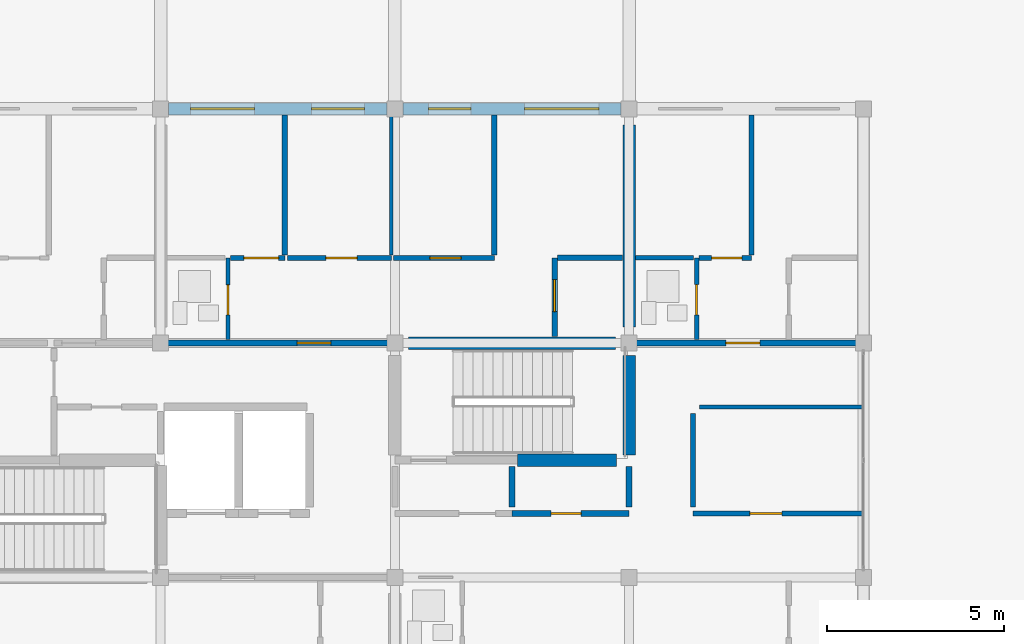
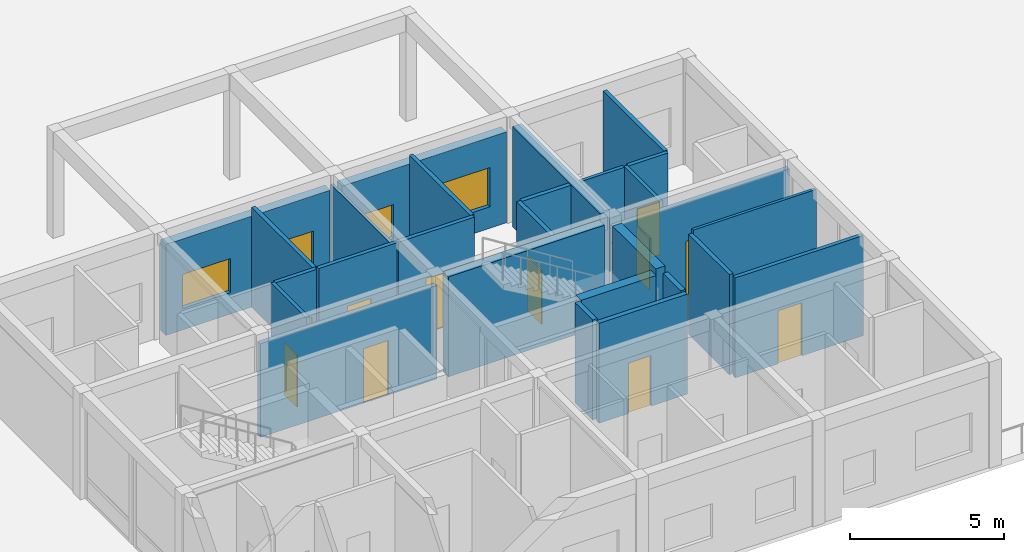
# One storey, part 65 of 92: 27 walls, 11 doors, 4 windows, 15 openings.
"""IFC4 building model written with IfcOpenShell, lengths in metres."""

from ifc_helpers import new_model, si_unit, direction, frame, frame_2d, origin, place, context, subcontext, project, spatial, rectangle, extrude, material, layer, layer_set, type_object, element, fill, save


model = new_model("IFC4")

# Units and contexts
model_context = context("Model", 3, precision=1e-05, world=origin(), true_north=direction((0.0, 1.0)))
body_context = subcontext(model_context, "Body", "Model", "MODEL_VIEW")
ifc_project = project(units=[si_unit("LENGTHUNIT", "METRE"), si_unit("AREAUNIT", "SQUARE_METRE"), si_unit("VOLUMEUNIT", "CUBIC_METRE"), si_unit("PLANEANGLEUNIT", "RADIAN"), si_unit("MASSUNIT", "GRAM", prefix="KILO")], contexts=[model_context])

# Site, building, storey
site_placement = place(None, origin())
site = spatial("IfcSite", under=ifc_project, at=site_placement, CompositionType="ELEMENT")
building_placement = place(site_placement, origin())
building = spatial("IfcBuilding", under=site, at=building_placement, Name="Kernevlak Ridge Housing Community", CompositionType="ELEMENT")
storey_placement = place(building_placement, frame((0.0, 0.0, 4.199951171875)))
storey = spatial("IfcBuildingStorey", under=building, at=storey_placement, Name="L01", CompositionType="ELEMENT", Elevation=4.199951171875)

# Wall, openings, windows
ifc_material_1 = material(Name="Concrete block masonry M10", Category="masonry")
ifc_layer_1 = layer(ifc_material_1, 0.340087890625, Name="Concrete block masonry M10")
ifc_layer_set_1 = layer_set([ifc_layer_1], Name="Concrete block masonry M10")
wall_type_1 = type_object("IfcWallType", Name="EW-04", PredefinedType="STANDARD", material=ifc_layer_set_1)
wall_1_placement = place(storey_placement, frame((22.425048828125, 35.39990234375, 0.0), z_axis=(0.0, 0.0, 1.0), x_axis=(1.0, 0.0, 0.0)))
wall_1 = element("IfcWall", 1, at=wall_1_placement, inside=storey, type_object=wall_type_1, Name="Exterior wall EW-04 L01 732", PredefinedType="STANDARD", context=body_context, shape_type="SweptSolid", body=[
    extrude(rectangle(XDim=6.14990234375, YDim=0.340087890625, at=frame_2d((3.074951171875, 0.0))), origin(), (0.0, 0.0, 1.0), 3.60009765625),
])
opening_1_placement = place(wall_1_placement, frame((0.625, 0.0, 0.85009765625)))
opening_1 = element("IfcOpeningElement", 2, at=opening_1_placement, cuts=wall_1, Name="Opening WT-03", PredefinedType="OPENING", context=body_context, shape_type="SweptSolid", body=[
    extrude(rectangle(XDim=1.800048828125, YDim=1.35009765625, at=frame_2d((0.89990234375, 0.675048828125))), frame((0.0, 0.179931640625, 0.0), z_axis=(0.0, -1.0, 0.0), x_axis=(1.0, 0.0, 0.0)), (0.0, 0.0, 1.0), 0.360107421875),
])
opening_2_placement = place(wall_1_placement, frame((4.02490234375, 0.0, 0.85009765625)))
opening_2 = element("IfcOpeningElement", 3, at=opening_2_placement, cuts=wall_1, Name="Opening WT-02", PredefinedType="OPENING", context=body_context, shape_type="SweptSolid", body=[
    extrude(rectangle(XDim=1.5, YDim=1.35009765625, at=frame_2d((0.75, 0.675048828125))), frame((0.0, 0.179931640625, 0.0), z_axis=(0.0, -1.0, 0.0), x_axis=(1.0, 0.0, 0.0)), (0.0, 0.0, 1.0), 0.360107421875),
])
ifc_material_2 = material(Name="Aluminium EN AW-6060 anodised and laminated glass", Category="aluminium")
window_type_1 = type_object("IfcWindowType", Name="WT-02", PartitioningType="SINGLE_PANEL", PredefinedType="WINDOW", material=ifc_material_2)
window_1_placement = place(opening_2_placement, origin())
window_1 = element("IfcWindow", 4, at=window_1_placement, inside=storey, type_object=window_type_1, Name="Window WT-02 L01 601", OverallHeight=1.35009765625, OverallWidth=1.5, PartitioningType="SINGLE_PANEL", PredefinedType="WINDOW", context=body_context, shape_type="SweptSolid", body=[
    extrude(rectangle(XDim=1.5, YDim=1.35009765625, at=frame_2d((0.75, 0.675048828125))), frame((0.0, 0.030029296875, 0.0), z_axis=(0.0, -1.0, 0.0), x_axis=(1.0, 0.0, 0.0)), (0.0, 0.0, 1.0), 0.06005859375),
])
fill(opening_2, window_1)
window_type_2 = type_object("IfcWindowType", Name="WT-03", PartitioningType="SINGLE_PANEL", PredefinedType="WINDOW", material=ifc_material_2)
window_2_placement = place(opening_1_placement, origin())
window_2 = element("IfcWindow", 5, at=window_2_placement, inside=storey, type_object=window_type_2, Name="Window WT-03 L01 600", OverallHeight=1.35009765625, OverallWidth=1.800048828125, PartitioningType="SINGLE_PANEL", PredefinedType="WINDOW", context=body_context, shape_type="SweptSolid", body=[
    extrude(rectangle(XDim=1.800048828125, YDim=1.35009765625, at=frame_2d((0.89990234375, 0.675048828125))), frame((0.0, 0.030029296875, 0.0), z_axis=(0.0, -1.0, 0.0), x_axis=(1.0, 0.0, 0.0)), (0.0, 0.0, 1.0), 0.06005859375),
])
fill(opening_1, window_2)

wall_2_placement = place(storey_placement, frame((29.02490234375, 35.39990234375, 0.0), z_axis=(0.0, 0.0, 1.0), x_axis=(1.0, 0.0, 0.0)))
wall_2 = element("IfcWall", 6, at=wall_2_placement, inside=storey, type_object=wall_type_1, Name="Exterior wall EW-04 L01 733", PredefinedType="STANDARD", context=body_context, shape_type="SweptSolid", body=[
    extrude(rectangle(XDim=6.150146484375, YDim=0.340087890625, at=frame_2d((3.0751953125, 0.0))), origin(), (0.0, 0.0, 1.0), 3.60009765625),
])
opening_3_placement = place(wall_2_placement, frame((0.72509765625, 0.0, 0.85009765625)))
opening_3 = element("IfcOpeningElement", 7, at=opening_3_placement, cuts=wall_2, Name="Opening WT-01", PredefinedType="OPENING", context=body_context, shape_type="SweptSolid", body=[
    extrude(rectangle(XDim=1.199951171875, YDim=1.35009765625, at=frame_2d((0.60009765625, 0.675048828125))), frame((0.0, 0.179931640625, 0.0), z_axis=(0.0, -1.0, 0.0), x_axis=(1.0, 0.0, 0.0)), (0.0, 0.0, 1.0), 0.360107421875),
])
opening_4_placement = place(wall_2_placement, frame((3.425048828125, 0.0, 0.85009765625)))
opening_4 = element("IfcOpeningElement", 8, at=opening_4_placement, cuts=wall_2, Name="Opening WT-05", PredefinedType="OPENING", context=body_context, shape_type="SweptSolid", body=[
    extrude(rectangle(XDim=2.10009765625, YDim=1.550048828125, at=frame_2d((1.050048828125, 0.77490234375))), frame((0.0, 0.179931640625, 0.0), z_axis=(0.0, -1.0, 0.0), x_axis=(1.0, 0.0, 0.0)), (0.0, 0.0, 1.0), 0.360107421875),
])
window_type_3 = type_object("IfcWindowType", Name="WT-01", PartitioningType="SINGLE_PANEL", PredefinedType="WINDOW", material=ifc_material_2)
window_3_placement = place(opening_3_placement, origin())
window_3 = element("IfcWindow", 9, at=window_3_placement, inside=storey, type_object=window_type_3, Name="Window WT-01 L01 602", OverallHeight=1.35009765625, OverallWidth=1.199951171875, PartitioningType="SINGLE_PANEL", PredefinedType="WINDOW", context=body_context, shape_type="SweptSolid", body=[
    extrude(rectangle(XDim=1.199951171875, YDim=1.35009765625, at=frame_2d((0.60009765625, 0.675048828125))), frame((0.0, 0.030029296875, 0.0), z_axis=(0.0, -1.0, 0.0), x_axis=(1.0, 0.0, 0.0)), (0.0, 0.0, 1.0), 0.06005859375),
])
fill(opening_3, window_3)
window_type_4 = type_object("IfcWindowType", Name="WT-05", PartitioningType="SINGLE_PANEL", PredefinedType="WINDOW", material=ifc_material_2)
window_4_placement = place(opening_4_placement, origin())
window_4 = element("IfcWindow", 10, at=window_4_placement, inside=storey, type_object=window_type_4, Name="Window WT-05 L01 603", OverallHeight=1.550048828125, OverallWidth=2.10009765625, PartitioningType="SINGLE_PANEL", PredefinedType="WINDOW", context=body_context, shape_type="SweptSolid", body=[
    extrude(rectangle(XDim=2.10009765625, YDim=1.550048828125, at=frame_2d((1.050048828125, 0.77490234375))), frame((0.0, 0.030029296875, 0.0), z_axis=(0.0, -1.0, 0.0), x_axis=(1.0, 0.0, 0.0)), (0.0, 0.0, 1.0), 0.06005859375),
])
fill(opening_4, window_4)

# Wall, opening, door
ifc_layer_2 = layer(ifc_material_1, 0.175048828125, Name="Concrete block masonry M10")
ifc_layer_set_2 = layer_set([ifc_layer_2], Name="Concrete block masonry M10")
wall_type_2 = type_object("IfcWallType", Name="PW-02", PredefinedType="PARTITIONING", material=ifc_layer_set_2)
wall_3_placement = place(storey_placement, frame((32.10009765625, 24.0, 0.0), z_axis=(0.0, 0.0, 1.0), x_axis=(1.0, 0.0, 0.0)))
wall_3 = element("IfcWall", 11, at=wall_3_placement, inside=storey, type_object=wall_type_2, Name="Interior wall PW-02 WAL-INT-L01-2986", PredefinedType="PARTITIONING", context=body_context, shape_type="SweptSolid", body=[
    extrude(rectangle(XDim=3.2998046875, YDim=0.175048828125, at=frame_2d((1.64990234375, 0.0))), origin(), (0.0, 0.0, 1.0), 3.9599609375),
])
opening_5_placement = place(wall_3_placement, frame((1.10009765625, 0.0, 0.0)))
opening_5 = element("IfcOpeningElement", 12, at=opening_5_placement, cuts=wall_3, Name="Opening E514", PredefinedType="OPENING", context=body_context, shape_type="SweptSolid", body=[
    extrude(rectangle(XDim=0.85009765625, YDim=2.0, at=frame_2d((0.425048828125, 1.0))), frame((0.0, 0.097412109375, 0.0), z_axis=(0.0, -1.0, 0.0), x_axis=(1.0, 0.0, 0.0)), (0.0, 0.0, 1.0), 0.195068359375),
])
ifc_material_3 = material(Name="Fire-rated sheet steel leaf", Category="steel")
door_type_1 = type_object("IfcDoorType", Name="DT-07", OperationType="NOTDEFINED", PredefinedType="DOOR", material=ifc_material_3)
door_1_placement = place(opening_5_placement, origin())
door_1 = element("IfcDoor", 13, at=door_1_placement, inside=storey, type_object=door_type_1, Name="Block D Cleaner store door E514", OperationType="SINGLE_SWING_LEFT", OverallHeight=2.0, OverallWidth=0.85009765625, PredefinedType="DOOR", context=body_context, shape_type="SweptSolid", body=[
    extrude(rectangle(XDim=0.85009765625, YDim=2.0, at=frame_2d((0.425048828125, 1.0))), frame((0.0, 0.02490234375, 0.0), z_axis=(0.0, -1.0, 0.0), x_axis=(1.0, 0.0, 0.0)), (0.0, 0.0, 1.0), 0.050048828125),
])
fill(opening_5, door_1)

# Walls
for number, where, z_axis, x_axis, name in (
    (14, (32.10009765625, 24.179931640625, 0.0), (0.0, 0.0, 1.0), (0.0, 1.0, 0.0), "Interior wall PW-02 WAL-INT-L01-2988"),
    (15, (35.39990234375, 24.179931640625, 0.0), (0.0, 0.0, 1.0), (0.0, 1.0, 0.0), "Interior wall PW-02 WAL-INT-L01-2989"),
):
    element("IfcWall", number, at=place(storey_placement, frame(where, z_axis=z_axis, x_axis=x_axis)), inside=storey, type_object=wall_type_2, Name=name, PredefinedType="PARTITIONING", context=body_context, shape_type="SweptSolid", body=[
        extrude(rectangle(XDim=1.14013671875, YDim=0.175048828125, at=frame_2d((0.570068359375, 0.0))), origin(), (0.0, 0.0, 1.0), 3.9599609375),
    ])

# Wall, opening, door
wall_4_placement = place(storey_placement, frame((22.199951171875, 28.800048828125, 0.0), z_axis=(0.0, 0.0, 1.0), x_axis=(1.0, 0.0, 0.0)))
wall_4 = element("IfcWall", 16, at=wall_4_placement, inside=storey, type_object=wall_type_2, Name="Interior wall PW-02 WAL-INT-L01-3023", PredefinedType="PARTITIONING", context=body_context, shape_type="SweptSolid", body=[
    extrude(rectangle(XDim=6.60009765625, YDim=0.175048828125, at=frame_2d((3.300048828125, 0.0))), origin(), (0.0, 0.0, 1.0), 3.699951171875),
])
opening_6_placement = place(wall_4_placement, frame((3.85009765625, 0.0, 0.0)))
opening_6 = element("IfcOpeningElement", 17, at=opening_6_placement, cuts=wall_4, Name="Opening E532", PredefinedType="OPENING", context=body_context, shape_type="SweptSolid", body=[
    extrude(rectangle(XDim=0.949951171875, YDim=2.159912109375, at=frame_2d((0.47509765625, 1.080078125))), frame((0.0, 0.097412109375, 0.0), z_axis=(0.0, -1.0, 0.0), x_axis=(1.0, 0.0, 0.0)), (0.0, 0.0, 1.0), 0.195068359375),
])
ifc_material_4 = material(Name="Hardwood timber solid-core fire leaf", Category="wood")
door_type_2 = type_object("IfcDoorType", Name="DT-02", OperationType="NOTDEFINED", PredefinedType="DOOR", material=ifc_material_4)
door_2_placement = place(opening_6_placement, origin())
door_2 = element("IfcDoor", 18, at=door_2_placement, inside=storey, type_object=door_type_2, Name="Flat D0122 entrance fire door E532", OperationType="SINGLE_SWING_LEFT", OverallHeight=2.159912109375, OverallWidth=0.949951171875, PredefinedType="DOOR", context=body_context, shape_type="SweptSolid", body=[
    extrude(rectangle(XDim=0.949951171875, YDim=2.159912109375, at=frame_2d((0.47509765625, 1.080078125))), frame((0.0, 0.02490234375, 0.0), z_axis=(0.0, -1.0, 0.0), x_axis=(1.0, 0.0, 0.0)), (0.0, 0.0, 1.0), 0.050048828125),
])
fill(opening_6, door_2)

wall_5_placement = place(storey_placement, frame((35.39990234375, 28.800048828125, 0.0), z_axis=(0.0, 0.0, 1.0), x_axis=(1.0, 0.0, 0.0)))
wall_5 = element("IfcWall", 19, at=wall_5_placement, inside=storey, type_object=wall_type_2, Name="Interior wall PW-02 WAL-INT-L01-3034", PredefinedType="PARTITIONING", context=body_context, shape_type="SweptSolid", body=[
    extrude(rectangle(XDim=6.60009765625, YDim=0.175048828125, at=frame_2d((3.300048828125, 0.0))), origin(), (0.0, 0.0, 1.0), 3.699951171875),
])
opening_7_placement = place(wall_5_placement, frame((2.72509765625, 0.0, 0.0)))
opening_7 = element("IfcOpeningElement", 20, at=opening_7_placement, cuts=wall_5, Name="Opening E538", PredefinedType="OPENING", context=body_context, shape_type="SweptSolid", body=[
    extrude(rectangle(XDim=0.9599609375, YDim=2.179931640625, at=frame_2d((0.47998046875, 1.08984375))), frame((0.0, 0.097412109375, 0.0), z_axis=(0.0, -1.0, 0.0), x_axis=(1.0, 0.0, 0.0)), (0.0, 0.0, 1.0), 0.195068359375),
])
door_type_3 = type_object("IfcDoorType", Name="DT-29", OperationType="NOTDEFINED", PredefinedType="DOOR", material=ifc_material_4)
door_3_placement = place(opening_7_placement, origin())
door_3 = element("IfcDoor", 21, at=door_3_placement, inside=storey, type_object=door_type_3, Name="Flat D0123 entrance fire door E538", OperationType="SINGLE_SWING_LEFT", OverallHeight=2.179931640625, OverallWidth=0.9599609375, PredefinedType="DOOR", context=body_context, shape_type="SweptSolid", body=[
    extrude(rectangle(XDim=0.9599609375, YDim=2.179931640625, at=frame_2d((0.47998046875, 1.08984375))), frame((0.0, 0.02490234375, 0.0), z_axis=(0.0, -1.0, 0.0), x_axis=(1.0, 0.0, 0.0)), (0.0, 0.0, 1.0), 0.050048828125),
])
fill(opening_7, door_3)

ifc_layer_3 = layer(ifc_material_1, 0.14501953125, Name="Concrete block masonry M10")
ifc_layer_set_3 = layer_set([ifc_layer_3], Name="Concrete block masonry M10")
wall_type_3 = type_object("IfcWallType", Name="PW-03", PredefinedType="PARTITIONING", material=ifc_layer_set_3)
wall_6_placement = place(storey_placement, frame((37.199951171875, 24.0, 0.0), z_axis=(0.0, 0.0, 1.0), x_axis=(1.0, 0.0, 0.0)))
wall_6 = element("IfcWall", 22, at=wall_6_placement, inside=storey, type_object=wall_type_3, Name="Interior wall PW-03 WAL-INT-L01-2990", PredefinedType="PARTITIONING", context=body_context, shape_type="SweptSolid", body=[
    extrude(rectangle(XDim=4.800048828125, YDim=0.14501953125, at=frame_2d((2.39990234375, 0.0))), origin(), (0.0, 0.0, 1.0), 3.9599609375),
])
opening_8_placement = place(wall_6_placement, frame((1.60009765625, 0.0, 0.0)))
opening_8 = element("IfcOpeningElement", 23, at=opening_8_placement, cuts=wall_6, Name="Opening E515", PredefinedType="OPENING", context=body_context, shape_type="SweptSolid", body=[
    extrude(rectangle(XDim=0.89990234375, YDim=2.10009765625, at=frame_2d((0.449951171875, 1.050048828125))), frame((0.0, 0.08251953125, 0.0), z_axis=(0.0, -1.0, 0.0), x_axis=(1.0, 0.0, 0.0)), (0.0, 0.0, 1.0), 0.1650390625),
])
ifc_material_5 = material(Name="Hardwood timber leaf", Category="wood")
door_type_4 = type_object("IfcDoorType", Name="DT-21", OperationType="NOTDEFINED", PredefinedType="DOOR", material=ifc_material_5)
door_4_placement = place(opening_8_placement, origin())
door_4 = element("IfcDoor", 24, at=door_4_placement, inside=storey, type_object=door_type_4, Name="Block D Laundry room door E515", OperationType="SINGLE_SWING_RIGHT", OverallHeight=2.10009765625, OverallWidth=0.89990234375, PredefinedType="DOOR", context=body_context, shape_type="SweptSolid", body=[
    extrude(rectangle(XDim=0.89990234375, YDim=2.10009765625, at=frame_2d((0.449951171875, 1.050048828125))), frame((0.0, 0.02490234375, 0.0), z_axis=(0.0, -1.0, 0.0), x_axis=(1.0, 0.0, 0.0)), (0.0, 0.0, 1.0), 0.050048828125),
])
fill(opening_8, door_4)

# Wall
wall_7_placement = place(storey_placement, frame((37.199951171875, 24.179931640625, 0.0), z_axis=(0.0, 0.0, 1.0), x_axis=(0.0, 1.0, 0.0)))
element("IfcWall", 25, at=wall_7_placement, inside=storey, type_object=wall_type_3, Name="Interior wall PW-03 WAL-INT-L01-2992", PredefinedType="PARTITIONING", context=body_context, shape_type="SweptSolid", body=[
    extrude(rectangle(XDim=2.64013671875, YDim=0.14501953125, at=frame_2d((1.320068359375, 0.0))), origin(), (0.0, 0.0, 1.0), 3.9599609375),
])

# Wall, opening, door
wall_8_placement = place(storey_placement, frame((24.172607421875, 31.199951171875, 0.0), z_axis=(0.0, 0.0, 1.0), x_axis=(1.0, 0.0, 0.0)))
wall_8 = element("IfcWall", 26, at=wall_8_placement, inside=storey, type_object=wall_type_3, Name="Interior wall PW-03 WAL-INT-L01-3028", PredefinedType="PARTITIONING", context=body_context, shape_type="SweptSolid", body=[
    extrude(rectangle(XDim=1.52734375, YDim=0.14501953125, at=frame_2d((0.763671875, 0.0))), origin(), (0.0, 0.0, 1.0), 3.9599609375),
])
opening_9_placement = place(wall_8_placement, frame((0.375, 0.0, 0.0)))
opening_9 = element("IfcOpeningElement", 27, at=opening_9_placement, cuts=wall_8, Name="Opening E535", PredefinedType="OPENING", context=body_context, shape_type="SweptSolid", body=[
    extrude(rectangle(XDim=0.97998046875, YDim=2.1201171875, at=frame_2d((0.489990234375, 1.06005859375))), frame((0.0, 0.08251953125, 0.0), z_axis=(0.0, -1.0, 0.0), x_axis=(1.0, 0.0, 0.0)), (0.0, 0.0, 1.0), 0.1650390625),
])
door_type_5 = type_object("IfcDoorType", Name="DT-24", OperationType="NOTDEFINED", PredefinedType="DOOR", material=ifc_material_5)
door_5_placement = place(opening_9_placement, origin())
door_5 = element("IfcDoor", 28, at=door_5_placement, inside=storey, type_object=door_type_5, Name="Flat D0122 bedroom door E535", OperationType="SINGLE_SWING_RIGHT", OverallHeight=2.1201171875, OverallWidth=0.97998046875, PredefinedType="DOOR", context=body_context, shape_type="SweptSolid", body=[
    extrude(rectangle(XDim=0.97998046875, YDim=2.1201171875, at=frame_2d((0.489990234375, 1.06005859375))), frame((0.0, 0.02490234375, 0.0), z_axis=(0.0, -1.0, 0.0), x_axis=(1.0, 0.0, 0.0)), (0.0, 0.0, 1.0), 0.050048828125),
])
fill(opening_9, door_5)

# Wall
wall_9_placement = place(storey_placement, frame((25.699951171875, 31.282470703125, 0.0), z_axis=(0.0, 0.0, 1.0), x_axis=(0.0, 1.0, 0.0)))
element("IfcWall", 29, at=wall_9_placement, inside=storey, type_object=wall_type_3, Name="Interior wall PW-03 WAL-INT-L01-3029", PredefinedType="PARTITIONING", context=body_context, shape_type="SweptSolid", body=[
    extrude(rectangle(XDim=3.9375, YDim=0.14501953125, at=frame_2d((1.96875, 0.0))), origin(), (0.0, 0.0, 1.0), 3.9599609375),
])

# Wall, opening, door
wall_10_placement = place(storey_placement, frame((25.782470703125, 31.199951171875, 0.0), z_axis=(0.0, 0.0, 1.0), x_axis=(1.0, 0.0, 0.0)))
wall_10 = element("IfcWall", 30, at=wall_10_placement, inside=storey, type_object=wall_type_3, Name="Interior wall PW-03 WAL-INT-L01-3030", PredefinedType="PARTITIONING", context=body_context, shape_type="SweptSolid", body=[
    extrude(rectangle(XDim=2.91748046875, YDim=0.14501953125, at=frame_2d((1.458740234375, 0.0))), origin(), (0.0, 0.0, 1.0), 3.9599609375),
])
opening_10_placement = place(wall_10_placement, frame((1.074951171875, 0.0, 0.0)))
opening_10 = element("IfcOpeningElement", 31, at=opening_10_placement, cuts=wall_10, Name="Opening E536", PredefinedType="OPENING", context=body_context, shape_type="SweptSolid", body=[
    extrude(rectangle(XDim=0.8798828125, YDim=2.10009765625, at=frame_2d((0.43994140625, 1.050048828125))), frame((0.0, 0.08251953125, 0.0), z_axis=(0.0, -1.0, 0.0), x_axis=(1.0, 0.0, 0.0)), (0.0, 0.0, 1.0), 0.1650390625),
])
door_type_6 = type_object("IfcDoorType", Name="DT-25", OperationType="NOTDEFINED", PredefinedType="DOOR", material=ifc_material_5)
door_6_placement = place(opening_10_placement, origin())
door_6 = element("IfcDoor", 32, at=door_6_placement, inside=storey, type_object=door_type_6, Name="Flat D0122 bedroom door E536", OperationType="SINGLE_SWING_LEFT", OverallHeight=2.10009765625, OverallWidth=0.8798828125, PredefinedType="DOOR", context=body_context, shape_type="SweptSolid", body=[
    extrude(rectangle(XDim=0.8798828125, YDim=2.10009765625, at=frame_2d((0.43994140625, 1.050048828125))), frame((0.0, 0.02490234375, 0.0), z_axis=(0.0, -1.0, 0.0), x_axis=(1.0, 0.0, 0.0)), (0.0, 0.0, 1.0), 0.050048828125),
])
fill(opening_10, door_6)

wall_11_placement = place(storey_placement, frame((28.762451171875, 31.199951171875, 0.0), z_axis=(0.0, 0.0, 1.0), x_axis=(1.0, 0.0, 0.0)))
wall_11 = element("IfcWall", 33, at=wall_11_placement, inside=storey, type_object=wall_type_3, Name="Interior wall PW-03 WAL-INT-L01-3032", PredefinedType="PARTITIONING", context=body_context, shape_type="SweptSolid", body=[
    extrude(rectangle(XDim=2.837646484375, YDim=0.14501953125, at=frame_2d((1.4189453125, 0.0))), origin(), (0.0, 0.0, 1.0), 3.9599609375),
])
opening_11_placement = place(wall_11_placement, frame((1.02490234375, 0.0, 0.0)))
opening_11 = element("IfcOpeningElement", 34, at=opening_11_placement, cuts=wall_11, Name="Opening E537", PredefinedType="OPENING", context=body_context, shape_type="SweptSolid", body=[
    extrude(rectangle(XDim=0.8798828125, YDim=2.159912109375, at=frame_2d((0.43994140625, 1.080078125))), frame((0.0, 0.08251953125, 0.0), z_axis=(0.0, -1.0, 0.0), x_axis=(1.0, 0.0, 0.0)), (0.0, 0.0, 1.0), 0.1650390625),
])
door_type_7 = type_object("IfcDoorType", Name="DT-26", OperationType="NOTDEFINED", PredefinedType="DOOR", material=ifc_material_5)
door_7_placement = place(opening_11_placement, origin())
door_7 = element("IfcDoor", 35, at=door_7_placement, inside=storey, type_object=door_type_7, Name="Flat D0122 bedroom door E537", OperationType="SINGLE_SWING_RIGHT", OverallHeight=2.159912109375, OverallWidth=0.8798828125, PredefinedType="DOOR", context=body_context, shape_type="SweptSolid", body=[
    extrude(rectangle(XDim=0.8798828125, YDim=2.159912109375, at=frame_2d((0.43994140625, 1.080078125))), frame((0.0, 0.02490234375, 0.0), z_axis=(0.0, -1.0, 0.0), x_axis=(1.0, 0.0, 0.0)), (0.0, 0.0, 1.0), 0.050048828125),
])
fill(opening_11, door_7)

# Wall
wall_12_placement = place(storey_placement, frame((31.60009765625, 31.282470703125, 0.0), z_axis=(0.0, 0.0, 1.0), x_axis=(0.0, 1.0, 0.0)))
element("IfcWall", 36, at=wall_12_placement, inside=storey, type_object=wall_type_3, Name="Interior wall PW-03 WAL-INT-L01-3033", PredefinedType="PARTITIONING", context=body_context, shape_type="SweptSolid", body=[
    extrude(rectangle(XDim=3.9375, YDim=0.14501953125, at=frame_2d((1.96875, 0.0))), origin(), (0.0, 0.0, 1.0), 3.9599609375),
])

# Wall, opening, door
wall_13_placement = place(storey_placement, frame((37.37255859375, 31.199951171875, 0.0), z_axis=(0.0, 0.0, 1.0), x_axis=(1.0, 0.0, 0.0)))
wall_13 = element("IfcWall", 37, at=wall_13_placement, inside=storey, type_object=wall_type_3, Name="Interior wall PW-03 WAL-INT-L01-3039", PredefinedType="PARTITIONING", context=body_context, shape_type="SweptSolid", body=[
    extrude(rectangle(XDim=1.4775390625, YDim=0.14501953125, at=frame_2d((0.73876953125, 0.0))), origin(), (0.0, 0.0, 1.0), 3.9599609375),
])
opening_12_placement = place(wall_13_placement, frame((0.35009765625, 0.0, 0.0)))
opening_12 = element("IfcOpeningElement", 38, at=opening_12_placement, cuts=wall_13, Name="Opening E541", PredefinedType="OPENING", context=body_context, shape_type="SweptSolid", body=[
    extrude(rectangle(XDim=0.85009765625, YDim=2.10009765625, at=frame_2d((0.425048828125, 1.050048828125))), frame((0.0, 0.08251953125, 0.0), z_axis=(0.0, -1.0, 0.0), x_axis=(1.0, 0.0, 0.0)), (0.0, 0.0, 1.0), 0.1650390625),
])
door_type_8 = type_object("IfcDoorType", Name="DT-03", OperationType="NOTDEFINED", PredefinedType="DOOR", material=ifc_material_5)
door_8_placement = place(opening_12_placement, origin())
door_8 = element("IfcDoor", 39, at=door_8_placement, inside=storey, type_object=door_type_8, Name="Flat D0123 bedroom door E541", OperationType="SINGLE_SWING_RIGHT", OverallHeight=2.10009765625, OverallWidth=0.85009765625, PredefinedType="DOOR", context=body_context, shape_type="SweptSolid", body=[
    extrude(rectangle(XDim=0.85009765625, YDim=2.10009765625, at=frame_2d((0.425048828125, 1.050048828125))), frame((0.0, 0.02490234375, 0.0), z_axis=(0.0, -1.0, 0.0), x_axis=(1.0, 0.0, 0.0)), (0.0, 0.0, 1.0), 0.050048828125),
])
fill(opening_12, door_8)

# Wall
wall_14_placement = place(storey_placement, frame((38.85009765625, 31.282470703125, 0.0), z_axis=(0.0, 0.0, 1.0), x_axis=(0.0, 1.0, 0.0)))
element("IfcWall", 40, at=wall_14_placement, inside=storey, type_object=wall_type_3, Name="Interior wall PW-03 WAL-INT-L01-3040", PredefinedType="PARTITIONING", context=body_context, shape_type="SweptSolid", body=[
    extrude(rectangle(XDim=3.9375, YDim=0.14501953125, at=frame_2d((1.96875, 0.0))), origin(), (0.0, 0.0, 1.0), 3.9599609375),
])

# Wall, opening, door
ifc_material_6 = material(Name="Gypsum plasterboard EN 520", Category="gypsum")
ifc_layer_4 = layer(ifc_material_6, 0.125, Name="Gypsum plasterboard EN 520")
ifc_layer_set_4 = layer_set([ifc_layer_4], Name="Gypsum plasterboard EN 520")
wall_type_4 = type_object("IfcWallType", Name="PW-04", PredefinedType="PARTITIONING", material=ifc_layer_set_4)
wall_15_placement = place(storey_placement, frame((24.10009765625, 28.8974609375, 0.0), z_axis=(0.0, 0.0, 1.0), x_axis=(0.0, 1.0, 0.0)))
wall_15 = element("IfcWall", 41, at=wall_15_placement, inside=storey, type_object=wall_type_4, Name="Interior wall PW-04 WAL-INT-L01-3024", PredefinedType="PARTITIONING", context=body_context, shape_type="SweptSolid", body=[
    extrude(rectangle(XDim=2.302490234375, YDim=0.125, at=frame_2d((1.1513671875, 0.0))), origin(), (0.0, 0.0, 1.0), 3.9599609375),
])
opening_13_placement = place(wall_15_placement, frame((0.699951171875, 0.0, 0.0)))
opening_13 = element("IfcOpeningElement", 42, at=opening_13_placement, cuts=wall_15, Name="Opening E533", PredefinedType="OPENING", context=body_context, shape_type="SweptSolid", body=[
    extrude(rectangle(XDim=0.840087890625, YDim=2.06005859375, at=frame_2d((0.419921875, 1.030029296875))), frame((0.0, 0.072509765625, 0.0), z_axis=(0.0, -1.0, 0.0), x_axis=(1.0, 0.0, 0.0)), (0.0, 0.0, 1.0), 0.14501953125),
])
ifc_material_7 = material(Name="Hardwood timber moisture-resistant leaf", Category="wood")
door_type_9 = type_object("IfcDoorType", Name="DT-27", OperationType="NOTDEFINED", PredefinedType="DOOR", material=ifc_material_7)
door_9_placement = place(opening_13_placement, origin())
door_9 = element("IfcDoor", 43, at=door_9_placement, inside=storey, type_object=door_type_9, Name="Flat D0122 bathroom door E533", OperationType="SINGLE_SWING_RIGHT", OverallHeight=2.06005859375, OverallWidth=0.840087890625, PredefinedType="DOOR", context=body_context, shape_type="SweptSolid", body=[
    extrude(rectangle(XDim=0.840087890625, YDim=2.06005859375, at=frame_2d((0.419921875, 1.030029296875))), frame((0.0, 0.02490234375, 0.0), z_axis=(0.0, -1.0, 0.0), x_axis=(1.0, 0.0, 0.0)), (0.0, 0.0, 1.0), 0.050048828125),
])
fill(opening_13, door_9)

wall_16_placement = place(storey_placement, frame((37.300048828125, 28.8974609375, 0.0), z_axis=(0.0, 0.0, 1.0), x_axis=(0.0, 1.0, 0.0)))
wall_16 = element("IfcWall", 44, at=wall_16_placement, inside=storey, type_object=wall_type_4, Name="Interior wall PW-04 WAL-INT-L01-3035", PredefinedType="PARTITIONING", context=body_context, shape_type="SweptSolid", body=[
    extrude(rectangle(XDim=2.302490234375, YDim=0.125, at=frame_2d((1.1513671875, 0.0))), origin(), (0.0, 0.0, 1.0), 3.9599609375),
])
opening_14_placement = place(wall_16_placement, frame((0.699951171875, 0.0, 0.0)))
opening_14 = element("IfcOpeningElement", 45, at=opening_14_placement, cuts=wall_16, Name="Opening E539", PredefinedType="OPENING", context=body_context, shape_type="SweptSolid", body=[
    extrude(rectangle(XDim=0.85009765625, YDim=2.0400390625, at=frame_2d((0.425048828125, 1.02001953125))), frame((0.0, 0.072509765625, 0.0), z_axis=(0.0, -1.0, 0.0), x_axis=(1.0, 0.0, 0.0)), (0.0, 0.0, 1.0), 0.14501953125),
])
door_type_10 = type_object("IfcDoorType", Name="DT-04", OperationType="NOTDEFINED", PredefinedType="DOOR", material=ifc_material_7)
door_10_placement = place(opening_14_placement, origin())
door_10 = element("IfcDoor", 46, at=door_10_placement, inside=storey, type_object=door_type_10, Name="Flat D0123 bathroom door E539", OperationType="SINGLE_SWING_RIGHT", OverallHeight=2.0400390625, OverallWidth=0.85009765625, PredefinedType="DOOR", context=body_context, shape_type="SweptSolid", body=[
    extrude(rectangle(XDim=0.85009765625, YDim=2.0400390625, at=frame_2d((0.425048828125, 1.02001953125))), frame((0.0, 0.02490234375, 0.0), z_axis=(0.0, -1.0, 0.0), x_axis=(1.0, 0.0, 0.0)), (0.0, 0.0, 1.0), 0.050048828125),
])
fill(opening_14, door_10)

# Wall
wall_17_placement = place(storey_placement, frame((35.5849609375, 31.199951171875, 0.0), z_axis=(0.0, 0.0, 1.0), x_axis=(1.0, 0.0, 0.0)))
element("IfcWall", 47, at=wall_17_placement, inside=storey, type_object=wall_type_4, Name="Interior wall PW-04 WAL-INT-L01-3036", PredefinedType="PARTITIONING", context=body_context, shape_type="SweptSolid", body=[
    extrude(rectangle(XDim=1.635009765625, YDim=0.125, at=frame_2d((0.8173828125, 0.0))), origin(), (0.0, 0.0, 1.0), 3.9599609375),
])

# Wall, opening, door
ifc_layer_5 = layer(ifc_material_6, 0.155029296875, Name="Gypsum plasterboard EN 520")
ifc_layer_set_5 = layer_set([ifc_layer_5], Name="Gypsum plasterboard EN 520")
wall_type_5 = type_object("IfcWallType", Name="PW-05", PredefinedType="PARTITIONING", material=ifc_layer_set_5)
wall_18_placement = place(storey_placement, frame((33.300048828125, 28.985107421875, 0.0), z_axis=(0.0, 0.0, 1.0), x_axis=(0.0, 1.0, 0.0)))
wall_18 = element("IfcWall", 48, at=wall_18_placement, inside=storey, type_object=wall_type_5, Name="Interior wall PW-05 WAL-INT-L01-3026", PredefinedType="PARTITIONING", context=body_context, shape_type="SweptSolid", body=[
    extrude(rectangle(XDim=2.21484375, YDim=0.155029296875, at=frame_2d((1.107421875, 0.0))), origin(), (0.0, 0.0, 1.0), 3.9599609375),
])
opening_15_placement = place(wall_18_placement, frame((0.699951171875, 0.0, 0.0)))
opening_15 = element("IfcOpeningElement", 49, at=opening_15_placement, cuts=wall_18, Name="Opening E534", PredefinedType="OPENING", context=body_context, shape_type="SweptSolid", body=[
    extrude(rectangle(XDim=0.89990234375, YDim=2.159912109375, at=frame_2d((0.449951171875, 1.080078125))), frame((0.0, 0.08740234375, 0.0), z_axis=(0.0, -1.0, 0.0), x_axis=(1.0, 0.0, 0.0)), (0.0, 0.0, 1.0), 0.175048828125),
])
door_type_11 = type_object("IfcDoorType", Name="DT-22", OperationType="NOTDEFINED", PredefinedType="DOOR", material=ifc_material_5)
door_11_placement = place(opening_15_placement, origin())
door_11 = element("IfcDoor", 50, at=door_11_placement, inside=storey, type_object=door_type_11, Name="Flat D0122 kitchen door E534", OperationType="SINGLE_SWING_LEFT", OverallHeight=2.159912109375, OverallWidth=0.89990234375, PredefinedType="DOOR", context=body_context, shape_type="SweptSolid", body=[
    extrude(rectangle(XDim=0.89990234375, YDim=2.159912109375, at=frame_2d((0.449951171875, 1.080078125))), frame((0.0, 0.02490234375, 0.0), z_axis=(0.0, -1.0, 0.0), x_axis=(1.0, 0.0, 0.0)), (0.0, 0.0, 1.0), 0.050048828125),
])
fill(opening_15, door_11)

# Walls
wall_19_placement = place(storey_placement, frame((33.387451171875, 31.199951171875, 0.0), z_axis=(0.0, 0.0, 1.0), x_axis=(1.0, 0.0, 0.0)))
element("IfcWall", 51, at=wall_19_placement, inside=storey, type_object=wall_type_5, Name="Interior wall PW-05 WAL-INT-L01-3027", PredefinedType="PARTITIONING", context=body_context, shape_type="SweptSolid", body=[
    extrude(rectangle(XDim=1.82763671875, YDim=0.155029296875, at=frame_2d((0.913818359375, 0.0))), origin(), (0.0, 0.0, 1.0), 3.9599609375),
])
ifc_layer_6 = layer(ifc_material_6, 0.10498046875, Name="Gypsum plasterboard EN 520")
ifc_layer_set_6 = layer_set([ifc_layer_6], Name="Gypsum plasterboard EN 520")
wall_type_6 = type_object("IfcWallType", Name="PW-06", PredefinedType="PARTITIONING", material=ifc_layer_set_6)
wall_20_placement = place(storey_placement, frame((37.3798828125, 27.0, 0.0), z_axis=(0.0, 0.0, 1.0), x_axis=(1.0, 0.0, 0.0)))
element("IfcWall", 52, at=wall_20_placement, inside=storey, type_object=wall_type_6, Name="Interior wall PW-06 WAL-INT-L01-2991", PredefinedType="PARTITIONING", context=body_context, shape_type="SweptSolid", body=[
    extrude(rectangle(XDim=4.60009765625, YDim=0.10498046875, at=frame_2d((2.300048828125, 0.0))), origin(), (0.0, 0.0, 1.0), 3.9599609375),
])
wall_21_placement = place(storey_placement, frame((28.699951171875, 31.282470703125, 0.0), z_axis=(0.0, 0.0, 1.0), x_axis=(0.0, 1.0, 0.0)))
element("IfcWall", 53, at=wall_21_placement, inside=storey, type_object=wall_type_6, Name="Interior wall PW-06 WAL-INT-L01-3031", PredefinedType="PARTITIONING", context=body_context, shape_type="SweptSolid", body=[
    extrude(rectangle(XDim=4.03759765625, YDim=0.10498046875, at=frame_2d((2.018798828125, 0.0))), origin(), (0.0, 0.0, 1.0), 3.75),
])
ifc_material_8 = material(Name="Concrete C40/50", Category="concrete")
ifc_layer_7 = layer(ifc_material_8, 0.35009765625, Name="Concrete C40/50")
ifc_layer_set_7 = layer_set([ifc_layer_7], Name="Concrete C40/50")
wall_type_7 = type_object("IfcWallType", Name="SW-01", PredefinedType="SHEAR", material=ifc_layer_set_7)
wall_22_placement = place(storey_placement, frame((29.179931640625, 28.800048828125, 0.0), z_axis=(0.0, 0.0, 1.0), x_axis=(1.0, 0.0, 0.0)))
element("IfcWall", 54, at=wall_22_placement, inside=storey, type_object=wall_type_7, Name="Shear wall SW-01 Block D L01 520", PredefinedType="SHEAR", context=body_context, shape_type="SweptSolid", body=[
    extrude(rectangle(XDim=5.840087890625, YDim=0.35009765625, at=frame_2d((2.919921875, 0.0))), origin(), (0.0, 0.0, 1.0), 3.9599609375),
])
for number, where, z_axis, x_axis, name in (
    (55, (32.25, 25.5, 0.0), (0.0, 0.0, 1.0), (1.0, 0.0, 0.0), "Shear wall SW-01 Block D L01 521"),
    (56, (35.39990234375, 25.64990234375, 0.0), (0.0, 0.0, 1.0), (0.0, 1.0, 0.0), "Shear wall SW-01 Block D L01 523"),
):
    element("IfcWall", number, at=place(storey_placement, frame(where, z_axis=z_axis, x_axis=x_axis)), inside=storey, type_object=wall_type_7, Name=name, PredefinedType="SHEAR", context=body_context, shape_type="SweptSolid", body=[
        extrude(rectangle(XDim=2.800048828125, YDim=0.35009765625, at=frame_2d((1.39990234375, 0.0))), origin(), (0.0, 0.0, 1.0), 3.9599609375),
    ])
wall_23_placement = place(storey_placement, frame((35.39990234375, 29.25, 0.0), z_axis=(0.0, 0.0, 1.0), x_axis=(0.0, 1.0, 0.0)))
element("IfcWall", 57, at=wall_23_placement, inside=storey, type_object=wall_type_7, Name="Shear wall SW-01 Block D L01 526", PredefinedType="SHEAR", context=body_context, shape_type="SweptSolid", body=[
    extrude(rectangle(XDim=5.699951171875, YDim=0.35009765625, at=frame_2d((2.85009765625, 0.0))), origin(), (0.0, 0.0, 1.0), 3.9599609375),
])

save(model, "model.ifc")
